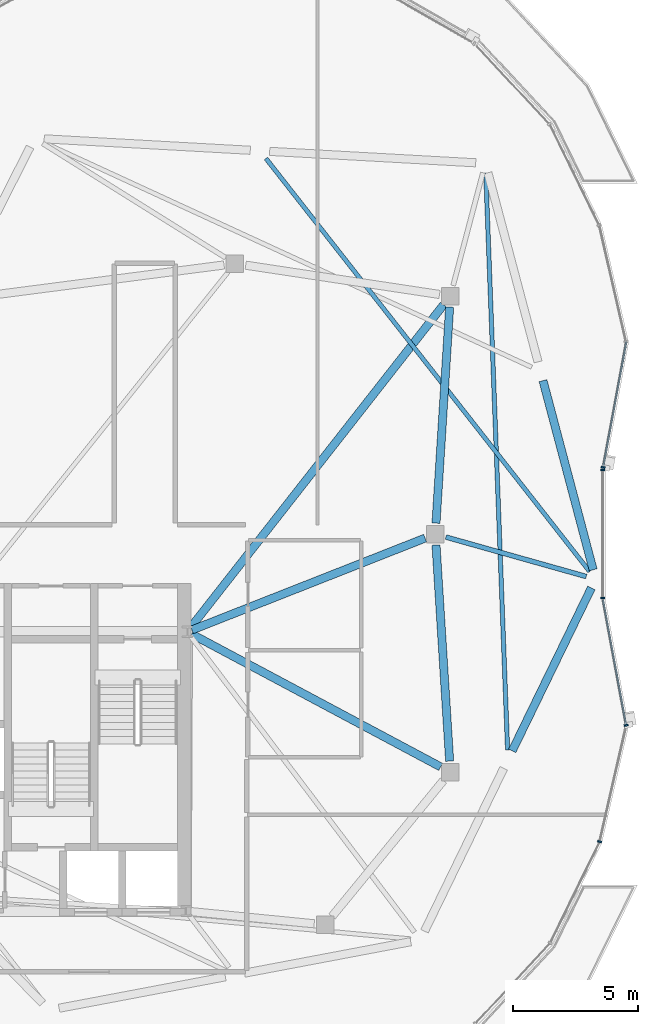
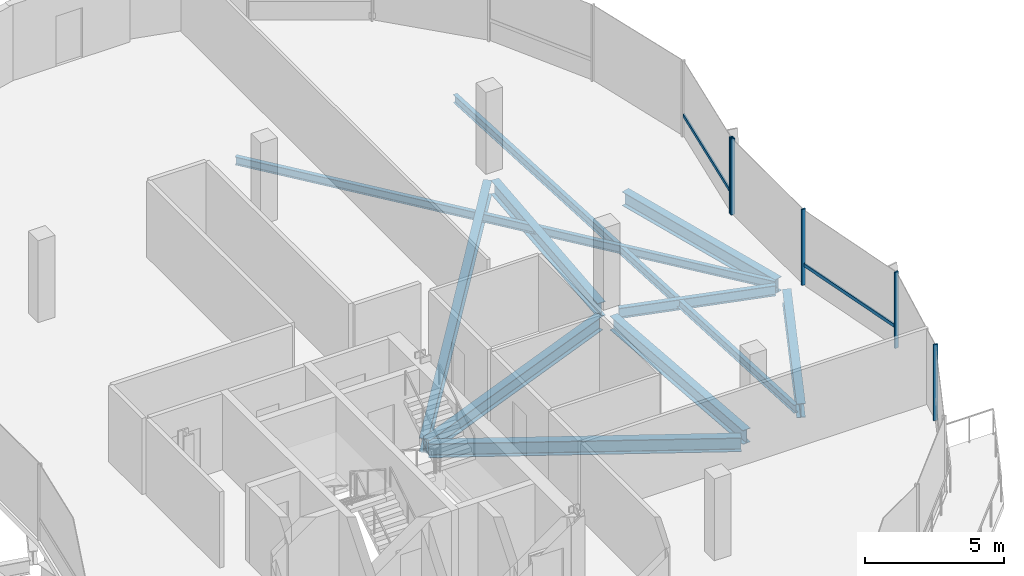
# One storey, part 15 of 31: 10 beams, 7 members, 2 elements without a shape of their own.
"""IFC4 building model written with IfcOpenShell, lengths in metres."""

from ifc_helpers import new_model, si_unit, direction, frame, origin, origin_2d, place, context, subcontext, project, spatial, rectangle, i_section, extrude, material, material_profile, profile_set, type_object, element, aggregate, save


model = new_model("IFC4")

# Units and contexts
model_context = context("Model", 3, precision=1e-05, world=origin(), true_north=direction((0.0, 1.0)))
body_context = subcontext(model_context, "Body", "Model", "MODEL_VIEW")
ifc_project = project(units=[si_unit("LENGTHUNIT", "METRE"), si_unit("AREAUNIT", "SQUARE_METRE"), si_unit("VOLUMEUNIT", "CUBIC_METRE"), si_unit("PLANEANGLEUNIT", "RADIAN"), si_unit("MASSUNIT", "GRAM", prefix="KILO"), si_unit("THERMODYNAMICTEMPERATUREUNIT", "KELVIN"), si_unit("POWERUNIT", "WATT")], contexts=[model_context])

# Site, building, storey
site_placement = place(None, origin())
site = spatial("IfcSite", under=ifc_project, at=site_placement, CompositionType="ELEMENT")
building_placement = place(site_placement, origin())
building = spatial("IfcBuilding", under=site, at=building_placement, Name="Cundina Bronze Exchange", CompositionType="ELEMENT")
storey_placement = place(building_placement, frame((0.0, 0.0, 275.60009765625)))
storey = spatial("IfcBuildingStorey", under=building, at=storey_placement, Name="L73", CompositionType="ELEMENT", Elevation=275.60009765625)

# Beams
ifc_material_1 = material(Name="Steel ASTM A992 Grade 50", Category="steel")
ifc_material_profile_1 = material_profile(ifc_material_1, i_section(OverallWidth=0.19091796875, OverallDepth=0.4599609375, WebThickness=0.010009765625, FlangeThickness=0.01611328125, FilletRadius=0.011962890625, at=origin_2d()), Name="W18X55", Category="steel")
ifc_profile_set_1 = profile_set([ifc_material_profile_1], Name="Steel ASTM A992 Grade 50")
beam_type_1 = type_object("IfcBeamType", Name="BM-FLR-W18B", PredefinedType="BEAM", material=ifc_profile_set_1)
beam_1_placement = place(storey_placement, frame((41.62158203125, -0.11865234375, -0.489990234375), z_axis=(0.962650257113, -0.270748005496, 0.0), x_axis=(0.270748005496, 0.962650257113, 0.0)))
element("IfcBeam", 1, at=beam_1_placement, inside=storey, type_object=beam_type_1, Name="L73 Leg E Chordal Floor Beam 08", PredefinedType="BEAM", context=body_context, shape_type="SweptSolid", body=[
    extrude(i_section(OverallWidth=0.19091796875, OverallDepth=0.4599609375, WebThickness=0.010009765625, FlangeThickness=0.01611328125, FilletRadius=0.011962890625, at=origin_2d()), origin(), (0.0, 0.0, 1.0), 5.822509765625),
])
ifc_material_profile_2 = material_profile(ifc_material_1, i_section(OverallWidth=0.172119140625, OverallDepth=0.35791015625, WebThickness=0.0078125, FlangeThickness=0.01318359375, FilletRadius=0.010009765625, at=origin_2d()), Name="W14X38", Category="steel")
ifc_profile_set_2 = profile_set([ifc_material_profile_2], Name="Steel ASTM A992 Grade 50")
beam_type_2 = type_object("IfcBeamType", Name="BM-JST-W14", PredefinedType="JOIST", material=ifc_profile_set_2)
beam_2_placement = place(storey_placement, frame((44.085205078125, -8.6123046875, -0.439208984375), z_axis=(-0.037784872152, 0.999285896746, 0.0), x_axis=(-0.999285896746, -0.037784872152, 0.0)))
element("IfcBeam", 2, at=beam_2_placement, inside=storey, type_object=beam_type_2, Name="L73 Leg E Lobe Floor Joist 07-10", PredefinedType="JOIST", context=body_context, shape_type="SweptSolid", body=[
    extrude(i_section(OverallWidth=0.172119140625, OverallDepth=0.35791015625, WebThickness=0.0078125, FlangeThickness=0.01318359375, FilletRadius=0.010009765625, at=origin_2d()), origin(), (0.0, 0.0, 1.0), 23.041015625),
])
beam_3_placement = place(storey_placement, frame((47.360595703125, -1.49462890625, -0.439208984375), z_axis=(-0.616804005008, 0.78711677622, 0.0), x_axis=(-0.78711677622, -0.616804005008, 0.0)))
element("IfcBeam", 3, at=beam_3_placement, inside=storey, type_object=beam_type_2, Name="L73 Leg E Lobe Floor Joist 08-11", PredefinedType="JOIST", context=body_context, shape_type="SweptSolid", body=[
    extrude(i_section(OverallWidth=0.172119140625, OverallDepth=0.35791015625, WebThickness=0.0078125, FlangeThickness=0.01318359375, FilletRadius=0.010009765625, at=origin_2d()), origin(), (0.0, 0.0, 1.0), 20.948974609375),
])
ifc_material_profile_3 = material_profile(ifc_material_1, i_section(OverallWidth=0.324951171875, OverallDepth=0.615966796875, WebThickness=0.013916015625, FlangeThickness=0.021484375, FilletRadius=0.01611328125, at=origin_2d()), Name="W24X117", Category="steel")
ifc_profile_set_3 = profile_set([ifc_material_profile_3], Name="Steel ASTM A992 Grade 50")
beam_type_3 = type_object("IfcBeamType", Name="BM-RING-W24", PredefinedType="USERDEFINED", material=ifc_profile_set_3)
for number, where, z_axis, x_axis, name in (
    (4, (41.7724609375, -9.06298828125, -0.568115234375), (-0.063046519736, 0.998010589297, 0.0), (-0.998010589297, -0.063046519736, 0.0), "L73 E Inner Structural Ring Girder 03"),
    (5, (41.2275390625, 0.43701171875, -0.568115234375), (0.063046519736, 0.998010589297, 0.0), (-0.998010589297, 0.063046519736, 0.0), "L73 E Inner Structural Ring Girder 04"),
):
    element("IfcBeam", number, at=place(storey_placement, frame(where, z_axis=z_axis, x_axis=x_axis)), inside=storey, type_object=beam_type_3, Name=name, ObjectType="GIRDER", PredefinedType="USERDEFINED", context=body_context, shape_type="SweptSolid", body=[
        extrude(i_section(OverallWidth=0.324951171875, OverallDepth=0.615966796875, WebThickness=0.013916015625, FlangeThickness=0.021484375, FilletRadius=0.01611328125, at=origin_2d()), origin(), (0.0, 0.0, 1.0), 8.64306640625),
    ])
beam_4_placement = place(storey_placement, frame((31.482421875, -3.828125, -0.568115234375), z_axis=(0.930404106569, 0.366535398673, 0.0), x_axis=(-0.366535398673, 0.930404106569, 0.0)))
element("IfcBeam", 6, at=beam_4_placement, inside=storey, type_object=beam_type_3, Name="L73 E Core-to-Waist Tie Beam 1", ObjectType="GIRDER", PredefinedType="USERDEFINED", context=body_context, shape_type="SweptSolid", body=[
    extrude(i_section(OverallWidth=0.324951171875, OverallDepth=0.615966796875, WebThickness=0.013916015625, FlangeThickness=0.021484375, FilletRadius=0.01611328125, at=origin_2d()), origin(), (0.0, 0.0, 1.0), 10.00634765625),
])
beam_5_placement = place(storey_placement, frame((31.472900390625, -3.9921875, -0.568115234375), z_axis=(0.882350541683, -0.470592734317, 0.0), x_axis=(0.470592734317, 0.882350541683, 0.0)))
element("IfcBeam", 7, at=beam_5_placement, inside=storey, type_object=beam_type_3, Name="L73 E Core-to-Waist Tie Beam 2", ObjectType="GIRDER", PredefinedType="USERDEFINED", context=body_context, shape_type="SweptSolid", body=[
    extrude(i_section(OverallWidth=0.324951171875, OverallDepth=0.615966796875, WebThickness=0.013916015625, FlangeThickness=0.021484375, FilletRadius=0.01611328125, at=origin_2d()), origin(), (0.0, 0.0, 1.0), 11.26611328125),
])
beam_6_placement = place(storey_placement, frame((31.4208984375, -3.74560546875, -0.568115234375), z_axis=(0.616782900053, 0.787133314123, 0.0), x_axis=(-0.787133314123, 0.616782900053, 0.0)))
element("IfcBeam", 8, at=beam_6_placement, inside=storey, type_object=beam_type_3, Name="L73 E Core-to-Waist Tie Beam 3", ObjectType="GIRDER", PredefinedType="USERDEFINED", context=body_context, shape_type="SweptSolid", body=[
    extrude(i_section(OverallWidth=0.324951171875, OverallDepth=0.615966796875, WebThickness=0.013916015625, FlangeThickness=0.021484375, FilletRadius=0.01611328125, at=origin_2d()), origin(), (0.0, 0.0, 1.0), 16.3896484375),
])
beam_7_placement = place(storey_placement, frame((44.26953125, -8.65087890625, -0.568115234375), z_axis=(0.437216986791, 0.899356050995, 0.0), x_axis=(-0.899356050995, 0.437216986791, 0.0)))
element("IfcBeam", 9, at=beam_7_placement, inside=storey, type_object=beam_type_3, Name="L73 E Perimeter Ring Girder 07", ObjectType="GIRDER", PredefinedType="USERDEFINED", context=body_context, shape_type="SweptSolid", body=[
    extrude(i_section(OverallWidth=0.324951171875, OverallDepth=0.615966796875, WebThickness=0.013916015625, FlangeThickness=0.021484375, FilletRadius=0.01611328125, at=origin_2d()), origin(), (0.0, 0.0, 1.0), 7.2294921875),
])
beam_8_placement = place(storey_placement, frame((47.50048828125, -1.425048828125, -0.568115234375), z_axis=(-0.256183793797, 0.966628089699, 0.0), x_axis=(-0.966628089699, -0.256183793797, 0.0)))
element("IfcBeam", 10, at=beam_8_placement, inside=storey, type_object=beam_type_3, Name="L73 E Perimeter Ring Girder 08", ObjectType="GIRDER", PredefinedType="USERDEFINED", context=body_context, shape_type="SweptSolid", body=[
    extrude(i_section(OverallWidth=0.324951171875, OverallDepth=0.615966796875, WebThickness=0.013916015625, FlangeThickness=0.021484375, FilletRadius=0.01611328125, at=origin_2d()), origin(), (0.0, 0.0, 1.0), 7.810791015625),
])

# Curtain wall, member
ifc_material_2 = material(Name="Anodised Bronze Aluminium 6063-T6", Category="aluminium")
curtain_wall_type = type_object("IfcCurtainWallType", Name="CWS-CRN-TMD", PredefinedType="NOTDEFINED", material=ifc_material_2)
curtain_wall_1_placement = place(storey_placement, origin())
curtain_wall_1 = element("IfcCurtainWall", 11, at=curtain_wall_1_placement, inside=storey, type_object=curtain_wall_type, Name="L73 CW-07 Curtain Wall Run CWR-L73-E1", PredefinedType="NOTDEFINED")
ifc_material_profile_4 = material_profile(ifc_material_2, rectangle(XDim=0.06494140625, YDim=0.159912109375, at=origin_2d()), Name="AL65X160", Category="aluminium")
ifc_profile_set_4 = profile_set([ifc_material_profile_4], Name="Anodised Bronze Aluminium 6063-T6")
member_type_1 = type_object("IfcMemberType", Name="CWM-MUL-160", PredefinedType="MULLION", material=ifc_profile_set_4)
member_1_placement = place(storey_placement, frame((47.89697265625, 2.660888671875, 0.0), z_axis=(0.0, 0.0, 1.0), x_axis=(0.181549039717, 0.983381892338, 0.0)))
member_1 = element("IfcMember", 12, at=member_1_placement, type_object=member_type_1, Name="CW-07 Mullion 1", PredefinedType="MULLION", context=body_context, shape_type="SweptSolid", body=[
    extrude(rectangle(XDim=0.06494140625, YDim=0.159912109375, at=origin_2d()), origin(), (0.0, 0.0, 1.0), 3.33984375),
])

# Curtain wall, members
curtain_wall_2_placement = place(storey_placement, origin())
curtain_wall_2 = element("IfcCurtainWall", 13, at=curtain_wall_2_placement, inside=storey, type_object=curtain_wall_type, Name="L73 CW-07 Curtain Wall Run CWR-L73-E4", PredefinedType="NOTDEFINED")
member_2_placement = place(storey_placement, frame((47.7587890625, -12.2763671875, 0.0), z_axis=(0.0, 0.0, 1.0), x_axis=(0.223930573241, 0.974605098677, 0.0)))
member_2 = element("IfcMember", 14, at=member_2_placement, type_object=member_type_1, Name="CW-07 Mullion 4", PredefinedType="MULLION", context=body_context, shape_type="SweptSolid", body=[
    extrude(rectangle(XDim=0.06494140625, YDim=0.159912109375, at=origin_2d()), origin(), (0.0, 0.0, 1.0), 3.33984375),
])
member_3_placement = place(storey_placement, frame((48.8154296875, -7.635498046875, 0.0), z_axis=(0.0, 0.0, 1.0), x_axis=(-0.181549039717, 0.983381892338, 0.0)))
member_3 = element("IfcMember", 15, at=member_3_placement, type_object=member_type_1, Name="CW-07 Mullion 5", PredefinedType="MULLION", context=body_context, shape_type="SweptSolid", body=[
    extrude(rectangle(XDim=0.06494140625, YDim=0.159912109375, at=origin_2d()), origin(), (0.0, 0.0, 1.0), 3.33984375),
])
member_4_placement = place(storey_placement, frame((47.886962890625, -2.552490234375, 0.0), z_axis=(0.0, 0.0, 1.0), x_axis=(0.0, 1.0, 0.0)))
member_4 = element("IfcMember", 16, at=member_4_placement, type_object=member_type_1, Name="CW-07 Mullion 6", PredefinedType="MULLION", context=body_context, shape_type="SweptSolid", body=[
    extrude(rectangle(XDim=0.06494140625, YDim=0.159912109375, at=origin_2d()), origin(), (0.0, 0.0, 1.0), 3.33984375),
])
member_5_placement = place(storey_placement, frame((47.886962890625, 2.552490234375, 0.0), z_axis=(0.0, 0.0, 1.0), x_axis=(0.0, 1.0, 0.0)))
member_5 = element("IfcMember", 17, at=member_5_placement, type_object=member_type_1, Name="CW-07 End Mullion", PredefinedType="MULLION", context=body_context, shape_type="SweptSolid", body=[
    extrude(rectangle(XDim=0.06494140625, YDim=0.159912109375, at=origin_2d()), origin(), (0.0, 0.0, 1.0), 3.33984375),
])

# Member
ifc_material_profile_5 = material_profile(ifc_material_2, rectangle(XDim=0.06494140625, YDim=0.14990234375, at=origin_2d()), Name="AL65X150", Category="aluminium")
ifc_profile_set_5 = profile_set([ifc_material_profile_5], Name="Anodised Bronze Aluminium 6063-T6")
member_type_2 = type_object("IfcMemberType", Name="CWM-TRN-150", PredefinedType="USERDEFINED", material=ifc_profile_set_5)
member_6_placement = place(storey_placement, frame((47.9033203125, 2.696044921875, 0.919921875), z_axis=(0.181607073865, 0.983371176475, 0.0), x_axis=(-0.983371176475, 0.181607073865, 0.0)))
member_6 = element("IfcMember", 18, at=member_6_placement, type_object=member_type_2, Name="CW-07 Spandrel Transom 1", ObjectType="TRANSOM", PredefinedType="USERDEFINED", context=body_context, shape_type="SweptSolid", body=[
    extrude(rectangle(XDim=0.06494140625, YDim=0.14990234375, at=origin_2d()), origin(), (0.0, 0.0, 1.0), 5.058837890625),
])

aggregate(curtain_wall_1, [member_1, member_6])

member_7_placement = place(storey_placement, frame((48.808837890625, -7.600341796875, 0.919921875), z_axis=(-0.181560403715, 0.983379794282, 0.0), x_axis=(-0.983379794282, -0.181560403715, 0.0)))
member_7 = element("IfcMember", 19, at=member_7_placement, type_object=member_type_2, Name="CW-07 Spandrel Transom 5", ObjectType="TRANSOM", PredefinedType="USERDEFINED", context=body_context, shape_type="SweptSolid", body=[
    extrude(rectangle(XDim=0.06494140625, YDim=0.14990234375, at=origin_2d()), origin(), (0.0, 0.0, 1.0), 5.05859375),
])

aggregate(curtain_wall_2, [member_2, member_3, member_7, member_4, member_5])

save(model, "model.ifc")
